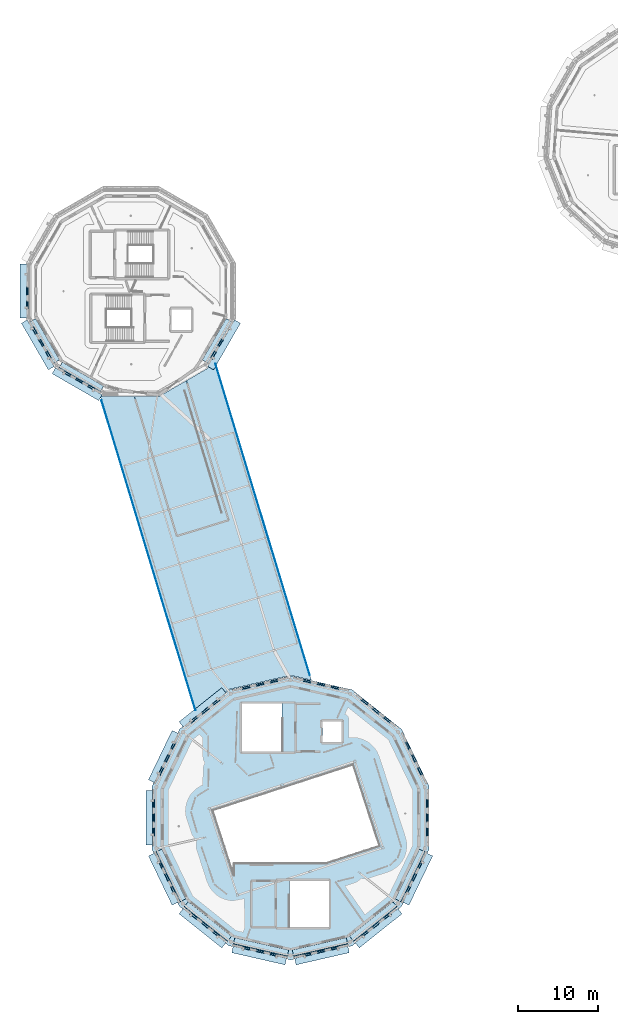
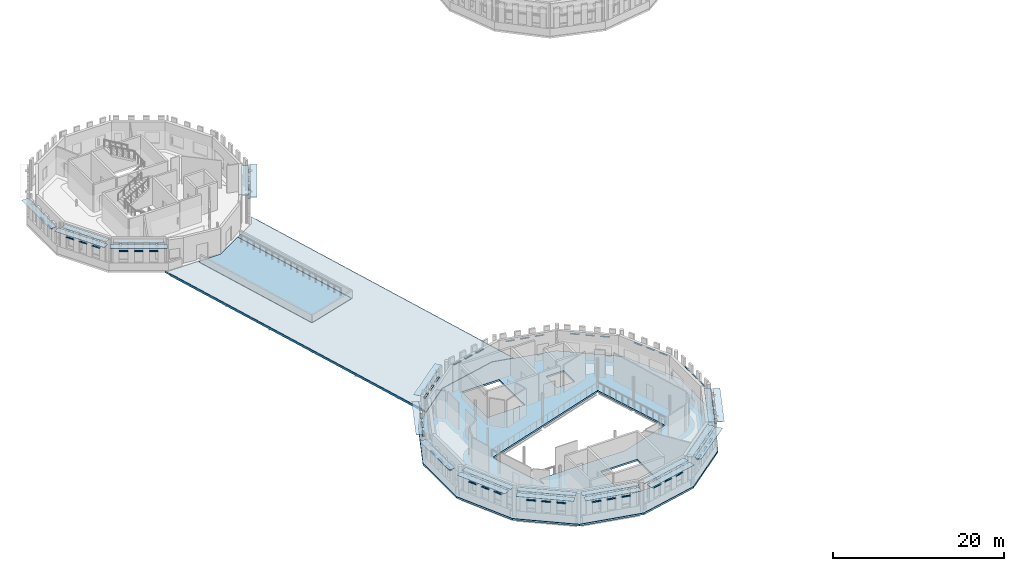
# One storey, part 24 of 68: 76 plates, 3 slabs.
"""IFC4 building model written with IfcOpenShell, lengths in metres."""

from ifc_helpers import new_model, si_unit, direction, frame, origin, origin_2d, place, context, subcontext, project, spatial, polyline, rectangle, outline, extrude, material, layer, layer_set, type_object, element, save


model = new_model("IFC4")

# Units and contexts
model_context = context("Model", 3, precision=1e-05, world=origin(), true_north=direction((0.0, 1.0)))
body_context = subcontext(model_context, "Body", "Model", "MODEL_VIEW")
ifc_project = project(units=[si_unit("LENGTHUNIT", "METRE"), si_unit("AREAUNIT", "SQUARE_METRE"), si_unit("VOLUMEUNIT", "CUBIC_METRE"), si_unit("PLANEANGLEUNIT", "RADIAN"), si_unit("MASSUNIT", "GRAM", prefix="KILO")], contexts=[model_context])

# Site, building, storey
site_placement = place(None, origin())
site = spatial("IfcSite", under=ifc_project, at=site_placement, CompositionType="ELEMENT")
building_placement = place(site_placement, origin())
building = spatial("IfcBuilding", under=site, at=building_placement, Name="Wrenclough Park School", CompositionType="ELEMENT")
storey_placement = place(building_placement, frame((0.0, 0.0, 12.60009765625)))
storey = spatial("IfcBuildingStorey", under=building, at=storey_placement, Name="L03", CompositionType="ELEMENT", Elevation=12.60009765625)

# Plates
ifc_material_1 = material(Name="Anodised architectural aluminium solar shading fin plate", Category="aluminium")
ifc_layer_1 = layer(ifc_material_1, 0.0380859375)
ifc_layer_set_1 = layer_set([ifc_layer_1], Name="Anodised architectural aluminium solar shading fin plate")
plate_type_1 = type_object("IfcPlateType", Name="ENV-PL-BSF", PredefinedType="SHEET", material=ifc_layer_set_1)
for number, where, z_axis, x_axis, name in (
    (1, (52.748291015625, 29.341064453125, 2.721923828125), (0.0, 0.0, 1.0), (-0.433883766632, 0.900968854652, 0.0), "D2 L03 open-bond brick screen tie band 0521"),
    (2, (51.97314453125, 30.950927734375, 2.721923828125), (0.0, 0.0, 1.0), (-0.433883766632, 0.900968854652, 0.0), "D2 L03 open-bond brick screen tie band 0522"),
    (3, (51.197998046875, 32.560791015625, 2.721923828125), (0.0, 0.0, 1.0), (-0.433883766632, 0.900968854652, 0.0), "D2 L03 open-bond brick screen tie band 0523"),
):
    element("IfcPlate", number, at=place(storey_placement, frame(where, z_axis=z_axis, x_axis=x_axis)), inside=storey, type_object=plate_type_1, Name=name, PredefinedType="SHEET", context=body_context, shape_type="SweptSolid", body=[
        extrude(rectangle(XDim=1.0869140625, YDim=0.219970703125, at=origin_2d()), origin(), (0.0, 0.0, 1.0), 0.0419921875),
    ])
for number, where, z_axis, x_axis, name in (
    (4, (48.604736328125, 35.812744140625, 2.721923828125), (0.0, 0.0, 1.0), (-0.781830120845, 0.623491509276, 0.0), "D2 L03 open-bond brick screen tie band 0524"),
    (5, (47.207763671875, 36.927001953125, 2.721923828125), (0.0, 0.0, 1.0), (-0.781830120845, 0.623491509276, 0.0), "D2 L03 open-bond brick screen tie band 0525"),
    (6, (45.810546875, 38.041259765625, 2.721923828125), (0.0, 0.0, 1.0), (-0.781830120845, 0.623491509276, 0.0), "D2 L03 open-bond brick screen tie band 0526"),
):
    element("IfcPlate", number, at=place(storey_placement, frame(where, z_axis=z_axis, x_axis=x_axis)), inside=storey, type_object=plate_type_1, Name=name, PredefinedType="SHEET", context=body_context, shape_type="SweptSolid", body=[
        extrude(rectangle(XDim=1.0859375, YDim=0.219970703125, at=origin_2d()), origin(), (0.0, 0.0, 1.0), 0.0419921875),
    ])
for number, where, z_axis, x_axis, name in (
    (7, (42.06298828125, 39.845703125, 2.721923828125), (0.0, 0.0, 1.0), (-0.974926113808, 0.222528812999, 0.0), "D2 L03 open-bond brick screen tie band 0527"),
    (8, (40.3212890625, 40.2431640625, 2.721923828125), (0.0, 0.0, 1.0), (-0.974926113808, 0.222528812999, 0.0), "D2 L03 open-bond brick screen tie band 0528"),
    (9, (38.579345703125, 40.640625, 2.721923828125), (0.0, 0.0, 1.0), (-0.974926113808, 0.222528812999, 0.0), "D2 L03 open-bond brick screen tie band 0529"),
):
    element("IfcPlate", number, at=place(storey_placement, frame(where, z_axis=z_axis, x_axis=x_axis)), inside=storey, type_object=plate_type_1, Name=name, PredefinedType="SHEET", context=body_context, shape_type="SweptSolid", body=[
        extrude(rectangle(XDim=1.086669921875, YDim=0.219970703125, at=origin_2d()), origin(), (0.0, 0.0, 1.0), 0.0419921875),
    ])
for number, where, z_axis, x_axis, name in (
    (10, (34.42041015625, 40.640625, 2.721923828125), (0.0, 0.0, 1.0), (-0.974929313791, -0.222514793017, 0.0), "D2 L03 open-bond brick screen tie band 0530"),
    (11, (32.67822265625, 40.2431640625, 2.721923828125), (0.0, 0.0, 1.0), (-0.974929313791, -0.222514793017, 0.0), "D2 L03 open-bond brick screen tie band 0531"),
    (12, (30.936279296875, 39.845458984375, 2.721923828125), (0.0, 0.0, 1.0), (-0.974929313791, -0.222514793017, 0.0), "D2 L03 open-bond brick screen tie band 0532"),
    (13, (27.18896484375, 38.040771484375, 2.721923828125), (0.0, 0.0, 1.0), (-0.781831588169, -0.623489669314, 0.0), "D2 L03 open-bond brick screen tie band 0533"),
    (14, (25.7919921875, 36.9267578125, 2.721923828125), (0.0, 0.0, 1.0), (-0.781831588169, -0.623489669314, 0.0), "D2 L03 open-bond brick screen tie band 0534"),
    (15, (24.39501953125, 35.812744140625, 2.721923828125), (0.0, 0.0, 1.0), (-0.781831588169, -0.623489669314, 0.0), "D2 L03 open-bond brick screen tie band 0535"),
):
    element("IfcPlate", number, at=place(storey_placement, frame(where, z_axis=z_axis, x_axis=x_axis)), inside=storey, type_object=plate_type_1, Name=name, PredefinedType="SHEET", context=body_context, shape_type="SweptSolid", body=[
        extrude(rectangle(XDim=1.0869140625, YDim=0.219970703125, at=origin_2d()), origin(), (0.0, 0.0, 1.0), 0.0419921875),
    ])
plate_1_placement = place(storey_placement, frame((25.469482421875, 37.331298828125, 3.700927734375), z_axis=(0.0, 0.0, 1.0), x_axis=(-0.781831588169, -0.623489669314, 0.0)))
element("IfcPlate", 16, at=plate_1_placement, inside=storey, type_object=plate_type_1, Name="D2 L03 sun-side projecting brise-soleil blade 0089", PredefinedType="SHEET", context=body_context, shape_type="SweptSolid", body=[
    extrude(rectangle(XDim=6.84716796875, YDim=0.85009765625, at=origin_2d()), origin(), (0.0, 0.0, 1.0), 0.0380859375),
])
plate_2_placement = place(storey_placement, frame((21.802001953125, 32.560791015625, 2.721923828125), z_axis=(0.0, 0.0, 1.0), x_axis=(-0.43387157134, -0.900974727494, 0.0)))
element("IfcPlate", 17, at=plate_2_placement, inside=storey, type_object=plate_type_1, Name="D2 L03 open-bond brick screen tie band 0536", PredefinedType="SHEET", context=body_context, shape_type="SweptSolid", body=[
    extrude(rectangle(XDim=1.086669921875, YDim=0.219970703125, at=origin_2d()), origin(), (0.0, 0.0, 1.0), 0.0419921875),
])
plate_3_placement = place(storey_placement, frame((21.02685546875, 30.951171875, 2.721923828125), z_axis=(0.0, 0.0, 1.0), x_axis=(-0.43387157134, -0.900974727494, 0.0)))
element("IfcPlate", 18, at=plate_3_placement, inside=storey, type_object=plate_type_1, Name="D2 L03 open-bond brick screen tie band 0537", PredefinedType="SHEET", context=body_context, shape_type="SweptSolid", body=[
    extrude(rectangle(XDim=1.0869140625, YDim=0.219970703125, at=origin_2d()), origin(), (0.0, 0.0, 1.0), 0.0419921875),
])
plate_4_placement = place(storey_placement, frame((20.251708984375, 29.34130859375, 2.721923828125), z_axis=(0.0, 0.0, 1.0), x_axis=(-0.43387157134, -0.900974727494, 0.0)))
element("IfcPlate", 19, at=plate_4_placement, inside=storey, type_object=plate_type_1, Name="D2 L03 open-bond brick screen tie band 0538", PredefinedType="SHEET", context=body_context, shape_type="SweptSolid", body=[
    extrude(rectangle(XDim=1.086669921875, YDim=0.219970703125, at=origin_2d()), origin(), (0.0, 0.0, 1.0), 0.0419921875),
])
plate_5_placement = place(storey_placement, frame((20.560546875, 31.17578125, 3.700927734375), z_axis=(0.0, 0.0, 1.0), x_axis=(-0.43387157134, -0.900974727494, 0.0)))
element("IfcPlate", 20, at=plate_5_placement, inside=storey, type_object=plate_type_1, Name="D2 L03 sun-side projecting brise-soleil blade 0090", PredefinedType="SHEET", context=body_context, shape_type="SweptSolid", body=[
    extrude(rectangle(XDim=6.8466796875, YDim=0.85009765625, at=origin_2d()), origin(), (0.0, 0.0, 1.0), 0.0380859375),
])
plate_6_placement = place(storey_placement, frame((19.326416015625, 25.28662109375, 2.721923828125), z_axis=(0.0, 0.0, 1.0), x_axis=(0.0, -1.0, 0.0)))
element("IfcPlate", 21, at=plate_6_placement, inside=storey, type_object=plate_type_1, Name="D2 L03 open-bond brick screen tie band 0539", PredefinedType="SHEET", context=body_context, shape_type="SweptSolid", body=[
    extrude(rectangle(XDim=1.08642578125, YDim=0.219970703125, at=origin_2d()), origin(), (0.0, 0.0, 1.0), 0.0419921875),
])
plate_7_placement = place(storey_placement, frame((19.326416015625, 23.5, 2.721923828125), z_axis=(0.0, 0.0, 1.0), x_axis=(0.0, -1.0, 0.0)))
element("IfcPlate", 22, at=plate_7_placement, inside=storey, type_object=plate_type_1, Name="D2 L03 open-bond brick screen tie band 0540", PredefinedType="SHEET", context=body_context, shape_type="SweptSolid", body=[
    extrude(rectangle(XDim=1.086669921875, YDim=0.219970703125, at=origin_2d()), origin(), (0.0, 0.0, 1.0), 0.0419921875),
])
plate_8_placement = place(storey_placement, frame((19.326416015625, 21.71337890625, 2.721923828125), z_axis=(0.0, 0.0, 1.0), x_axis=(0.0, -1.0, 0.0)))
element("IfcPlate", 23, at=plate_8_placement, inside=storey, type_object=plate_type_1, Name="D2 L03 open-bond brick screen tie band 0541", PredefinedType="SHEET", context=body_context, shape_type="SweptSolid", body=[
    extrude(rectangle(XDim=1.08642578125, YDim=0.219970703125, at=origin_2d()), origin(), (0.0, 0.0, 1.0), 0.0419921875),
])
plate_9_placement = place(storey_placement, frame((18.808837890625, 23.5, 3.700927734375), z_axis=(0.0, 0.0, 1.0), x_axis=(0.0, -1.0, 0.0)))
element("IfcPlate", 24, at=plate_9_placement, inside=storey, type_object=plate_type_1, Name="D2 L03 sun-side projecting brise-soleil blade 0091", PredefinedType="SHEET", context=body_context, shape_type="SweptSolid", body=[
    extrude(rectangle(XDim=6.845947265625, YDim=0.85009765625, at=origin_2d()), origin(), (0.0, 0.0, 1.0), 0.0380859375),
])
plate_10_placement = place(storey_placement, frame((20.251708984375, 17.65869140625, 2.721923828125), z_axis=(0.0, 0.0, 1.0), x_axis=(0.433882929518, -0.900969257785, 0.0)))
element("IfcPlate", 25, at=plate_10_placement, inside=storey, type_object=plate_type_1, Name="D2 L03 open-bond brick screen tie band 0542", PredefinedType="SHEET", context=body_context, shape_type="SweptSolid", body=[
    extrude(rectangle(XDim=1.086669921875, YDim=0.219970703125, at=origin_2d()), origin(), (0.0, 0.0, 1.0), 0.0419921875),
])
plate_11_placement = place(storey_placement, frame((21.02685546875, 16.048828125, 2.721923828125), z_axis=(0.0, 0.0, 1.0), x_axis=(0.433882929518, -0.900969257785, 0.0)))
element("IfcPlate", 26, at=plate_11_placement, inside=storey, type_object=plate_type_1, Name="D2 L03 open-bond brick screen tie band 0543", PredefinedType="SHEET", context=body_context, shape_type="SweptSolid", body=[
    extrude(rectangle(XDim=1.0869140625, YDim=0.219970703125, at=origin_2d()), origin(), (0.0, 0.0, 1.0), 0.0419921875),
])
plate_12_placement = place(storey_placement, frame((21.80224609375, 14.439208984375, 2.721923828125), z_axis=(0.0, 0.0, 1.0), x_axis=(0.433882929518, -0.900969257785, 0.0)))
element("IfcPlate", 27, at=plate_12_placement, inside=storey, type_object=plate_type_1, Name="D2 L03 open-bond brick screen tie band 0544", PredefinedType="SHEET", context=body_context, shape_type="SweptSolid", body=[
    extrude(rectangle(XDim=1.086669921875, YDim=0.219970703125, at=origin_2d()), origin(), (0.0, 0.0, 1.0), 0.0419921875),
])
plate_13_placement = place(storey_placement, frame((20.560791015625, 15.82421875, 3.700927734375), z_axis=(0.0, 0.0, 1.0), x_axis=(0.433882929518, -0.900969257785, 0.0)))
element("IfcPlate", 28, at=plate_13_placement, inside=storey, type_object=plate_type_1, Name="D2 L03 sun-side projecting brise-soleil blade 0092", PredefinedType="SHEET", context=body_context, shape_type="SweptSolid", body=[
    extrude(rectangle(XDim=6.846923828125, YDim=0.85009765625, at=origin_2d()), origin(), (0.0, 0.0, 1.0), 0.0380859375),
])
for number, where, z_axis, x_axis, name in (
    (29, (24.39501953125, 11.187255859375, 2.721923828125), (0.0, 0.0, 1.0), (0.781831588169, -0.623489669314, 0.0), "D2 L03 open-bond brick screen tie band 0545"),
    (30, (25.7919921875, 10.0732421875, 2.721923828125), (0.0, 0.0, 1.0), (0.781831588169, -0.623489669314, 0.0), "D2 L03 open-bond brick screen tie band 0546"),
    (31, (27.18896484375, 8.959228515625, 2.721923828125), (0.0, 0.0, 1.0), (0.781831588169, -0.623489669314, 0.0), "D2 L03 open-bond brick screen tie band 0547"),
):
    element("IfcPlate", number, at=place(storey_placement, frame(where, z_axis=z_axis, x_axis=x_axis)), inside=storey, type_object=plate_type_1, Name=name, PredefinedType="SHEET", context=body_context, shape_type="SweptSolid", body=[
        extrude(rectangle(XDim=1.0869140625, YDim=0.219970703125, at=origin_2d()), origin(), (0.0, 0.0, 1.0), 0.0419921875),
    ])
plate_14_placement = place(storey_placement, frame((25.469482421875, 9.668701171875, 3.700927734375), z_axis=(0.0, 0.0, 1.0), x_axis=(0.781831588169, -0.623489669314, 0.0)))
element("IfcPlate", 32, at=plate_14_placement, inside=storey, type_object=plate_type_1, Name="D2 L03 sun-side projecting brise-soleil blade 0093", PredefinedType="SHEET", context=body_context, shape_type="SweptSolid", body=[
    extrude(rectangle(XDim=6.84716796875, YDim=0.85009765625, at=origin_2d()), origin(), (0.0, 0.0, 1.0), 0.0380859375),
])
for number, where, z_axis, x_axis, name in (
    (33, (30.936279296875, 7.154541015625, 2.721923828125), (0.0, 0.0, 1.0), (0.97492627853, -0.222528091331, 0.0), "D2 L03 open-bond brick screen tie band 0548"),
    (34, (32.67822265625, 6.7568359375, 2.721923828125), (0.0, 0.0, 1.0), (0.97492627853, -0.222528091331, 0.0), "D2 L03 open-bond brick screen tie band 0549"),
    (35, (34.42041015625, 6.359375, 2.721923828125), (0.0, 0.0, 1.0), (0.97492627853, -0.222528091331, 0.0), "D2 L03 open-bond brick screen tie band 0550"),
):
    element("IfcPlate", number, at=place(storey_placement, frame(where, z_axis=z_axis, x_axis=x_axis)), inside=storey, type_object=plate_type_1, Name=name, PredefinedType="SHEET", context=body_context, shape_type="SweptSolid", body=[
        extrude(rectangle(XDim=1.0869140625, YDim=0.219970703125, at=origin_2d()), origin(), (0.0, 0.0, 1.0), 0.0419921875),
    ])
plate_15_placement = place(storey_placement, frame((32.56298828125, 6.25244140625, 3.700927734375), z_axis=(0.0, 0.0, 1.0), x_axis=(0.97492627853, -0.222528091331, 0.0)))
element("IfcPlate", 36, at=plate_15_placement, inside=storey, type_object=plate_type_1, Name="D2 L03 sun-side projecting brise-soleil blade 0094", PredefinedType="SHEET", context=body_context, shape_type="SweptSolid", body=[
    extrude(rectangle(XDim=6.847412109375, YDim=0.85009765625, at=origin_2d()), origin(), (0.0, 0.0, 1.0), 0.0380859375),
])
for number, where, z_axis, x_axis, name in (
    (37, (38.579345703125, 6.359130859375, 2.721923828125), (0.0, 0.0, 1.0), (0.974929149471, 0.222515512969, 0.0), "D2 L03 open-bond brick screen tie band 0551"),
    (38, (40.3212890625, 6.7568359375, 2.721923828125), (0.0, 0.0, 1.0), (0.974929149471, 0.222515512969, 0.0), "D2 L03 open-bond brick screen tie band 0552"),
    (39, (42.06298828125, 7.154296875, 2.721923828125), (0.0, 0.0, 1.0), (0.974929149471, 0.222515512969, 0.0), "D2 L03 open-bond brick screen tie band 0553"),
):
    element("IfcPlate", number, at=place(storey_placement, frame(where, z_axis=z_axis, x_axis=x_axis)), inside=storey, type_object=plate_type_1, Name=name, PredefinedType="SHEET", context=body_context, shape_type="SweptSolid", body=[
        extrude(rectangle(XDim=1.086669921875, YDim=0.219970703125, at=origin_2d()), origin(), (0.0, 0.0, 1.0), 0.0419921875),
    ])
plate_16_placement = place(storey_placement, frame((40.436279296875, 6.252197265625, 3.700927734375), z_axis=(0.0, 0.0, 1.0), x_axis=(0.974929149471, 0.222515512969, 0.0)))
element("IfcPlate", 40, at=plate_16_placement, inside=storey, type_object=plate_type_1, Name="D2 L03 sun-side projecting brise-soleil blade 0095", PredefinedType="SHEET", context=body_context, shape_type="SweptSolid", body=[
    extrude(rectangle(XDim=6.846435546875, YDim=0.85009765625, at=origin_2d()), origin(), (0.0, 0.0, 1.0), 0.0380859375),
])
for number, where, z_axis, x_axis, name in (
    (41, (45.810546875, 8.958740234375, 2.721923828125), (0.0, 0.0, 1.0), (0.781830120845, 0.623491509276, 0.0), "D2 L03 open-bond brick screen tie band 0554"),
    (42, (47.207763671875, 10.072998046875, 2.721923828125), (0.0, 0.0, 1.0), (0.781830120845, 0.623491509276, 0.0), "D2 L03 open-bond brick screen tie band 0555"),
    (43, (48.604736328125, 11.18701171875, 2.721923828125), (0.0, 0.0, 1.0), (0.781830120845, 0.623491509276, 0.0), "D2 L03 open-bond brick screen tie band 0556"),
):
    element("IfcPlate", number, at=place(storey_placement, frame(where, z_axis=z_axis, x_axis=x_axis)), inside=storey, type_object=plate_type_1, Name=name, PredefinedType="SHEET", context=body_context, shape_type="SweptSolid", body=[
        extrude(rectangle(XDim=1.0859375, YDim=0.219970703125, at=origin_2d()), origin(), (0.0, 0.0, 1.0), 0.0419921875),
    ])
plate_17_placement = place(storey_placement, frame((47.5302734375, 9.66845703125, 3.700927734375), z_axis=(0.0, 0.0, 1.0), x_axis=(0.781830120845, 0.623491509276, 0.0)))
element("IfcPlate", 44, at=plate_17_placement, inside=storey, type_object=plate_type_1, Name="D2 L03 sun-side projecting brise-soleil blade 0096", PredefinedType="SHEET", context=body_context, shape_type="SweptSolid", body=[
    extrude(rectangle(XDim=6.847900390625, YDim=0.85009765625, at=origin_2d()), origin(), (0.0, 0.0, 1.0), 0.0380859375),
])
for number, where, z_axis, x_axis, name in (
    (45, (51.197998046875, 14.439208984375, 2.721923828125), (0.0, 0.0, 1.0), (0.433872409166, 0.900974324032, 0.0), "D2 L03 open-bond brick screen tie band 0557"),
    (46, (51.97314453125, 16.049072265625, 2.721923828125), (0.0, 0.0, 1.0), (0.433872409166, 0.900974324032, 0.0), "D2 L03 open-bond brick screen tie band 0558"),
    (47, (52.748291015625, 17.658935546875, 2.721923828125), (0.0, 0.0, 1.0), (0.433872409166, 0.900974324032, 0.0), "D2 L03 open-bond brick screen tie band 0559"),
):
    element("IfcPlate", number, at=place(storey_placement, frame(where, z_axis=z_axis, x_axis=x_axis)), inside=storey, type_object=plate_type_1, Name=name, PredefinedType="SHEET", context=body_context, shape_type="SweptSolid", body=[
        extrude(rectangle(XDim=1.0869140625, YDim=0.219970703125, at=origin_2d()), origin(), (0.0, 0.0, 1.0), 0.0419921875),
    ])
plate_18_placement = place(storey_placement, frame((52.439453125, 15.824462890625, 3.700927734375), z_axis=(0.0, 0.0, 1.0), x_axis=(0.433872409166, 0.900974324032, 0.0)))
element("IfcPlate", 48, at=plate_18_placement, inside=storey, type_object=plate_type_1, Name="D2 L03 sun-side projecting brise-soleil blade 0097", PredefinedType="SHEET", context=body_context, shape_type="SweptSolid", body=[
    extrude(rectangle(XDim=6.847412109375, YDim=0.85009765625, at=origin_2d()), origin(), (0.0, 0.0, 1.0), 0.0380859375),
])
plate_19_placement = place(storey_placement, frame((53.673583984375, 21.71337890625, 2.721923828125), z_axis=(0.0, 0.0, 1.0), x_axis=(0.0, 1.0, 0.0)))
element("IfcPlate", 49, at=plate_19_placement, inside=storey, type_object=plate_type_1, Name="D2 L03 open-bond brick screen tie band 0560", PredefinedType="SHEET", context=body_context, shape_type="SweptSolid", body=[
    extrude(rectangle(XDim=1.08642578125, YDim=0.219970703125, at=origin_2d()), origin(), (0.0, 0.0, 1.0), 0.0419921875),
])
plate_20_placement = place(storey_placement, frame((53.673583984375, 23.5, 2.721923828125), z_axis=(0.0, 0.0, 1.0), x_axis=(0.0, 1.0, 0.0)))
element("IfcPlate", 50, at=plate_20_placement, inside=storey, type_object=plate_type_1, Name="D2 L03 open-bond brick screen tie band 0561", PredefinedType="SHEET", context=body_context, shape_type="SweptSolid", body=[
    extrude(rectangle(XDim=1.086669921875, YDim=0.219970703125, at=origin_2d()), origin(), (0.0, 0.0, 1.0), 0.0419921875),
])
plate_21_placement = place(storey_placement, frame((53.673583984375, 25.28662109375, 2.721923828125), z_axis=(0.0, 0.0, 1.0), x_axis=(0.0, 1.0, 0.0)))
element("IfcPlate", 51, at=plate_21_placement, inside=storey, type_object=plate_type_1, Name="D2 L03 open-bond brick screen tie band 0562", PredefinedType="SHEET", context=body_context, shape_type="SweptSolid", body=[
    extrude(rectangle(XDim=1.08642578125, YDim=0.219970703125, at=origin_2d()), origin(), (0.0, 0.0, 1.0), 0.0419921875),
])
plate_22_placement = place(storey_placement, frame((3.54345703125, 89.5, 2.721923828125), z_axis=(0.0, 0.0, 1.0), x_axis=(0.0, -1.0, 0.0)))
element("IfcPlate", 52, at=plate_22_placement, inside=storey, type_object=plate_type_1, Name="D3 L03 open-bond brick screen tie band 0579", PredefinedType="SHEET", context=body_context, shape_type="SweptSolid", body=[
    extrude(rectangle(XDim=1.071044921875, YDim=0.219970703125, at=origin_2d()), origin(), (0.0, 0.0, 1.0), 0.0419921875),
])
plate_23_placement = place(storey_placement, frame((3.54345703125, 87.739990234375, 2.721923828125), z_axis=(0.0, 0.0, 1.0), x_axis=(0.0, -1.0, 0.0)))
element("IfcPlate", 53, at=plate_23_placement, inside=storey, type_object=plate_type_1, Name="D3 L03 open-bond brick screen tie band 0580", PredefinedType="SHEET", context=body_context, shape_type="SweptSolid", body=[
    extrude(rectangle(XDim=1.07080078125, YDim=0.219970703125, at=origin_2d()), origin(), (0.0, 0.0, 1.0), 0.0419921875),
])
plate_24_placement = place(storey_placement, frame((3.02587890625, 89.5, 3.700927734375), z_axis=(0.0, 0.0, 1.0), x_axis=(0.0, -1.0, 0.0)))
element("IfcPlate", 54, at=plate_24_placement, inside=storey, type_object=plate_type_1, Name="D3 L03 sun-side projecting brise-soleil blade 0099", PredefinedType="SHEET", context=body_context, shape_type="SweptSolid", body=[
    extrude(rectangle(XDim=6.73974609375, YDim=0.85009765625, at=origin_2d()), origin(), (0.0, 0.0, 1.0), 0.0380859375),
])
for number, where, z_axis, x_axis, name in (
    (55, (4.3994140625, 84.5458984375, 2.721923828125), (0.0, 0.0, 1.0), (0.499990505441, -0.866030885401, 0.0), "D3 L03 open-bond brick screen tie band 0581"),
    (56, (5.279296875, 83.021728515625, 2.721923828125), (0.0, 0.0, 1.0), (0.499990505441, -0.866030885401, 0.0), "D3 L03 open-bond brick screen tie band 0582"),
    (57, (6.1591796875, 81.49755859375, 2.721923828125), (0.0, 0.0, 1.0), (0.499990505441, -0.866030885401, 0.0), "D3 L03 open-bond brick screen tie band 0583"),
):
    element("IfcPlate", number, at=place(storey_placement, frame(where, z_axis=z_axis, x_axis=x_axis)), inside=storey, type_object=plate_type_1, Name=name, PredefinedType="SHEET", context=body_context, shape_type="SweptSolid", body=[
        extrude(rectangle(XDim=1.071044921875, YDim=0.219970703125, at=origin_2d()), origin(), (0.0, 0.0, 1.0), 0.0419921875),
    ])
plate_25_placement = place(storey_placement, frame((4.8310546875, 82.762939453125, 3.700927734375), z_axis=(0.0, 0.0, 1.0), x_axis=(0.499990505441, -0.866030885401, 0.0)))
element("IfcPlate", 58, at=plate_25_placement, inside=storey, type_object=plate_type_1, Name="D3 L03 sun-side projecting brise-soleil blade 0100", PredefinedType="SHEET", context=body_context, shape_type="SweptSolid", body=[
    extrude(rectangle(XDim=6.739990234375, YDim=0.85009765625, at=origin_2d()), origin(), (0.0, 0.0, 1.0), 0.0380859375),
])
for number, where, z_axis, x_axis, name in (
    (59, (8.49755859375, 79.1591796875, 2.721923828125), (0.0, 0.0, 1.0), (0.866030885401, -0.499990505441, 0.0), "D3 L03 open-bond brick screen tie band 0584"),
    (60, (10.021728515625, 78.279296875, 2.721923828125), (0.0, 0.0, 1.0), (0.866030885401, -0.499990505441, 0.0), "D3 L03 open-bond brick screen tie band 0585"),
    (61, (11.5458984375, 77.399169921875, 2.721923828125), (0.0, 0.0, 1.0), (0.866030885401, -0.499990505441, 0.0), "D3 L03 open-bond brick screen tie band 0586"),
):
    element("IfcPlate", number, at=place(storey_placement, frame(where, z_axis=z_axis, x_axis=x_axis)), inside=storey, type_object=plate_type_1, Name=name, PredefinedType="SHEET", context=body_context, shape_type="SweptSolid", body=[
        extrude(rectangle(XDim=1.071044921875, YDim=0.219970703125, at=origin_2d()), origin(), (0.0, 0.0, 1.0), 0.0419921875),
    ])
plate_26_placement = place(storey_placement, frame((9.762939453125, 77.8310546875, 3.700927734375), z_axis=(0.0, 0.0, 1.0), x_axis=(0.866030885401, -0.499990505441, 0.0)))
element("IfcPlate", 62, at=plate_26_placement, inside=storey, type_object=plate_type_1, Name="D3 L03 sun-side projecting brise-soleil blade 0101", PredefinedType="SHEET", context=body_context, shape_type="SweptSolid", body=[
    extrude(rectangle(XDim=6.739990234375, YDim=0.85009765625, at=origin_2d()), origin(), (0.0, 0.0, 1.0), 0.0380859375),
])
for number, where, z_axis, x_axis, name in (
    (63, (26.8408203125, 81.49755859375, 2.721923828125), (0.0, 0.0, 1.0), (0.499990505441, 0.866030885401, 0.0), "D3 L03 open-bond brick screen tie band 0587"),
    (64, (27.720703125, 83.021728515625, 2.721923828125), (0.0, 0.0, 1.0), (0.499990505441, 0.866030885401, 0.0), "D3 L03 open-bond brick screen tie band 0588"),
):
    element("IfcPlate", number, at=place(storey_placement, frame(where, z_axis=z_axis, x_axis=x_axis)), inside=storey, type_object=plate_type_1, Name=name, PredefinedType="SHEET", context=body_context, shape_type="SweptSolid", body=[
        extrude(rectangle(XDim=1.071044921875, YDim=0.219970703125, at=origin_2d()), origin(), (0.0, 0.0, 1.0), 0.0419921875),
    ])
plate_27_placement = place(storey_placement, frame((28.1689453125, 82.762939453125, 3.700927734375), z_axis=(0.0, 0.0, 1.0), x_axis=(0.499990505441, 0.866030885401, 0.0)))
element("IfcPlate", 65, at=plate_27_placement, inside=storey, type_object=plate_type_1, Name="D3 L03 sun-side projecting brise-soleil blade 0102", PredefinedType="SHEET", context=body_context, shape_type="SweptSolid", body=[
    extrude(rectangle(XDim=6.739990234375, YDim=0.85009765625, at=origin_2d()), origin(), (0.0, 0.0, 1.0), 0.0380859375),
])
for number, where, z_axis, x_axis, name in (
    (66, (46.860107421875, 10.5087890625, 3.720947265625), (0.0, 0.0, 1.0), (-0.781832475537, -0.623488556588, 0.0), "L03 link wing sun-side brise-soleil blade 0232"),
    (67, (40.190185546875, 7.33203125, 3.720947265625), (0.0, 0.0, 1.0), (-0.974928960136, -0.222516342519, 0.0), "L03 link wing sun-side brise-soleil blade 0233"),
):
    element("IfcPlate", number, at=place(storey_placement, frame(where, z_axis=z_axis, x_axis=x_axis)), inside=storey, type_object=plate_type_1, Name=name, PredefinedType="SHEET", context=body_context, shape_type="SweptSolid", body=[
        extrude(rectangle(XDim=6.932861328125, YDim=0.800048828125, at=origin_2d()), origin(), (0.0, 0.0, 1.0), 0.0380859375),
    ])
plate_28_placement = place(storey_placement, frame((32.806884765625, 7.31982421875, 3.720947265625), z_axis=(0.0, 0.0, 1.0), x_axis=(-0.974929635345, 0.222513384148, 0.0)))
element("IfcPlate", 68, at=plate_28_placement, inside=storey, type_object=plate_type_1, Name="L03 link wing sun-side brise-soleil blade 0234", PredefinedType="SHEET", context=body_context, shape_type="SweptSolid", body=[
    extrude(rectangle(XDim=6.93310546875, YDim=0.800048828125, at=origin_2d()), origin(), (0.0, 0.0, 1.0), 0.0380859375),
])
plate_29_placement = place(storey_placement, frame((26.14453125, 10.5146484375, 3.720947265625), z_axis=(0.0, 0.0, 1.0), x_axis=(-0.781820526252, 0.623503540271, 0.0)))
element("IfcPlate", 69, at=plate_29_placement, inside=storey, type_object=plate_type_1, Name="L03 link wing sun-side brise-soleil blade 0235", PredefinedType="SHEET", context=body_context, shape_type="SweptSolid", body=[
    extrude(rectangle(XDim=6.932861328125, YDim=0.800048828125, at=origin_2d()), origin(), (0.0, 0.0, 1.0), 0.0380859375),
])
for number, where, z_axis, x_axis, name in (
    (70, (21.5224609375, 16.287109375, 3.720947265625), (0.0, 0.0, 1.0), (-0.433887370926, 0.900967118907, 0.0), "L03 link wing sun-side brise-soleil blade 0236"),
    (71, (51.486572265625, 16.28271484375, 3.720947265625), (0.0, 0.0, 1.0), (-0.433887370926, -0.900967118907, 0.0), "L03 link wing sun-side brise-soleil blade 0237"),
):
    element("IfcPlate", number, at=place(storey_placement, frame(where, z_axis=z_axis, x_axis=x_axis)), inside=storey, type_object=plate_type_1, Name=name, PredefinedType="SHEET", context=body_context, shape_type="SweptSolid", body=[
        extrude(rectangle(XDim=6.93310546875, YDim=0.800048828125, at=origin_2d()), origin(), (0.0, 0.0, 1.0), 0.0380859375),
    ])
for number, where, z_axis, x_axis, name in (
    (72, (10.293212890625, 78.749755859375, 3.720947265625), (0.0, 0.0, 1.0), (-0.866028723321, 0.499994250351, 0.0), "L03 link wing sun-side brise-soleil blade 0238"),
    (73, (5.710693359375, 83.270751953125, 3.720947265625), (0.0, 0.0, 1.0), (-0.499994250351, 0.866028723321, 0.0), "L03 link wing sun-side brise-soleil blade 0239"),
    (74, (27.289306640625, 83.270751953125, 3.720947265625), (0.0, 0.0, 1.0), (-0.499994250351, -0.866028723321, 0.0), "L03 link wing sun-side brise-soleil blade 0240"),
):
    element("IfcPlate", number, at=place(storey_placement, frame(where, z_axis=z_axis, x_axis=x_axis)), inside=storey, type_object=plate_type_1, Name=name, PredefinedType="SHEET", context=body_context, shape_type="SweptSolid", body=[
        extrude(rectangle(XDim=5.980224609375, YDim=0.800048828125, at=origin_2d()), origin(), (0.0, 0.0, 1.0), 0.0380859375),
    ])
ifc_material_2 = material(Name="Patinated copper-alloy architectural eave fascia cassette", Category="aluminium")
ifc_layer_2 = layer(ifc_material_2, 0.028076171875)
ifc_layer_set_2 = layer_set([ifc_layer_2], Name="Patinated copper-alloy architectural eave fascia cassette")
plate_type_2 = type_object("IfcPlateType", Name="ENV-PL-FAS", PredefinedType="SHEET", material=ifc_layer_set_2)
plate_30_placement = place(storey_placement, frame((33.005126953125, 60.877197265625, -0.2900390625), z_axis=(0.0, 0.0, 1.0), x_axis=(-0.290005815412, 0.957024883181, 0.0)))
element("IfcPlate", 75, at=plate_30_placement, inside=storey, type_object=plate_type_2, Name="Overhanging copper eave fascia plate 009", PredefinedType="SHEET", context=body_context, shape_type="SweptSolid", body=[
    extrude(rectangle(XDim=40.781005859375, YDim=0.028076171875, at=origin_2d()), origin(), (0.0, 0.0, 1.0), 0.340087890625),
])
plate_31_placement = place(storey_placement, frame((18.705322265625, 56.378173828125, -0.2900390625), z_axis=(0.0, 0.0, 1.0), x_axis=(0.290006336369, -0.957024725316, 0.0)))
element("IfcPlate", 76, at=plate_31_placement, inside=storey, type_object=plate_type_2, Name="Overhanging copper eave fascia plate 010", PredefinedType="SHEET", context=body_context, shape_type="SweptSolid", body=[
    extrude(rectangle(XDim=40.562255859375, YDim=0.028076171875, at=origin_2d()), origin(), (0.0, 0.0, 1.0), 0.340087890625),
])

# Slabs
ifc_material_3 = material(Name="Concrete C32/40", Category="concrete")
ifc_layer_3 = layer(ifc_material_3, 0.25)
ifc_layer_set_3 = layer_set([ifc_layer_3], Name="Concrete C32/40")
slab_type_1 = type_object("IfcSlabType", Name="STR-SL-FL250", PredefinedType="FLOOR", material=ifc_layer_set_3)
slab_1_placement = place(storey_placement, frame((0.0, 0.0, -0.25)))
element("IfcSlab", 77, at=slab_1_placement, inside=storey, type_object=slab_type_1, Name="D2 L03 structural slab SLAB-D2-L03", PredefinedType="FLOOR", context=body_context, shape_type="SweptSolid", body=[
    extrude(outline(polyline([(53.853759765625, 27.460693359375), (50.41650390625, 34.59814453125), (44.22314453125, 39.537109375), (36.5, 41.300048828125), (28.77685546875, 39.537353515625), (22.58349609375, 34.59814453125), (19.146240234375, 27.4609375), (19.146240234375, 19.539306640625), (22.58349609375, 12.40185546875), (28.77685546875, 7.462890625), (36.5, 5.699951171875), (44.22314453125, 7.462646484375), (50.41650390625, 12.40185546875), (53.853759765625, 19.5390625), (53.853759765625, 27.460693359375)]), holes=[polyline([(26.8125, 24.397705078125), (29.35009765625, 16.587890625), (29.35009765625, 17.85009765625), (40.963134765625, 17.85009765625), (47.58740234375, 20.00244140625), (44.31201171875, 30.08349609375), (26.8125, 24.397705078125)]), polyline([(30.39990234375, 31.800048828125), (35.451904296875, 31.800048828125), (35.451904296875, 37.800048828125), (30.39990234375, 37.800048828125), (30.39990234375, 31.800048828125)]), polyline([(40.5, 33.0), (42.89990234375, 33.0), (42.89990234375, 35.60009765625), (40.5, 35.60009765625), (40.5, 33.0)]), polyline([(36.347900390625, 9.800048828125), (41.300048828125, 9.800048828125), (41.300048828125, 15.60009765625), (36.347900390625, 15.60009765625), (36.347900390625, 9.800048828125)])]), origin(), (0.0, 0.0, 1.0), 0.25),
])
ifc_material_4 = material(Name="Concrete C35/45", Category="concrete")
ifc_layer_4 = layer(ifc_material_4, 0.22998046875)
ifc_layer_set_4 = layer_set([ifc_layer_4], Name="Concrete C35/45")
slab_type_2 = type_object("IfcSlabType", Name="STR-SL-PD230", PredefinedType="FLOOR", material=ifc_layer_set_4)
slab_2_placement = place(storey_placement, frame((0.0, 0.0, -0.22998046875)))
element("IfcSlab", 78, at=slab_2_placement, inside=storey, type_object=slab_type_2, Name="W23 L03 structural slab SLAB-PD-2-L03", PredefinedType="FLOOR", context=body_context, shape_type="SweptSolid", body=[
    extrude(outline(polyline([(28.75390625, 60.785888671875), (23.45068359375, 78.286376953125), (20.035400390625, 76.31591796875), (16.943359375, 76.3134765625), (22.24609375, 58.81396484375), (28.75390625, 60.785888671875)])), origin(), (0.0, 0.0, 1.0), 0.22998046875),
])
ifc_layer_5 = layer(ifc_material_3, 0.22509765625)
ifc_layer_set_5 = layer_set([ifc_layer_5], Name="Concrete C32/40")
slab_type_3 = type_object("IfcSlabType", Name="STR-SL-RF225", PredefinedType="ROOF", material=ifc_layer_set_5)
slab_3_placement = place(storey_placement, frame((0.0, 0.0, -0.22509765625)))
element("IfcSlab", 79, at=slab_3_placement, inside=storey, type_object=slab_type_3, Name="W23 L03 structural slab SLAB-EAVE-W23-L03", PredefinedType="ROOF", context=body_context, shape_type="SweptSolid", body=[
    extrude(outline(polyline([(36.510986328125, 41.3486328125), (39.107666015625, 40.756103515625), (26.88037109375, 81.106201171875), (26.150146484375, 79.84619140625), (23.463623046875, 78.2939453125), (28.768310546875, 60.790283203125), (22.235595703125, 58.803466796875), (16.92822265625, 76.3134765625), (12.97998046875, 76.3134765625), (12.593994140625, 76.528564453125), (24.755859375, 36.39453125), (28.757080078125, 39.583251953125), (36.510986328125, 41.3486328125)])), origin(), (0.0, 0.0, 1.0), 0.22509765625),
])

save(model, "model.ifc")
